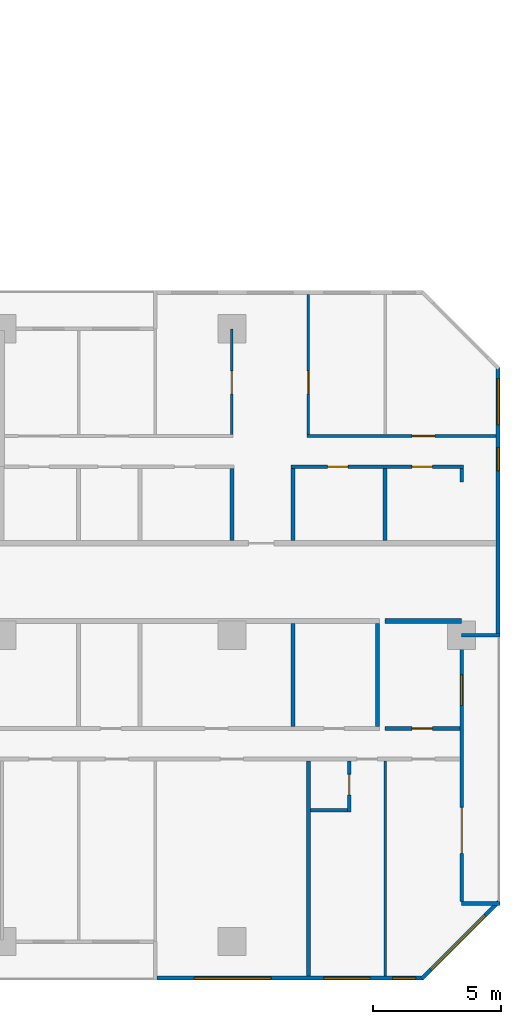
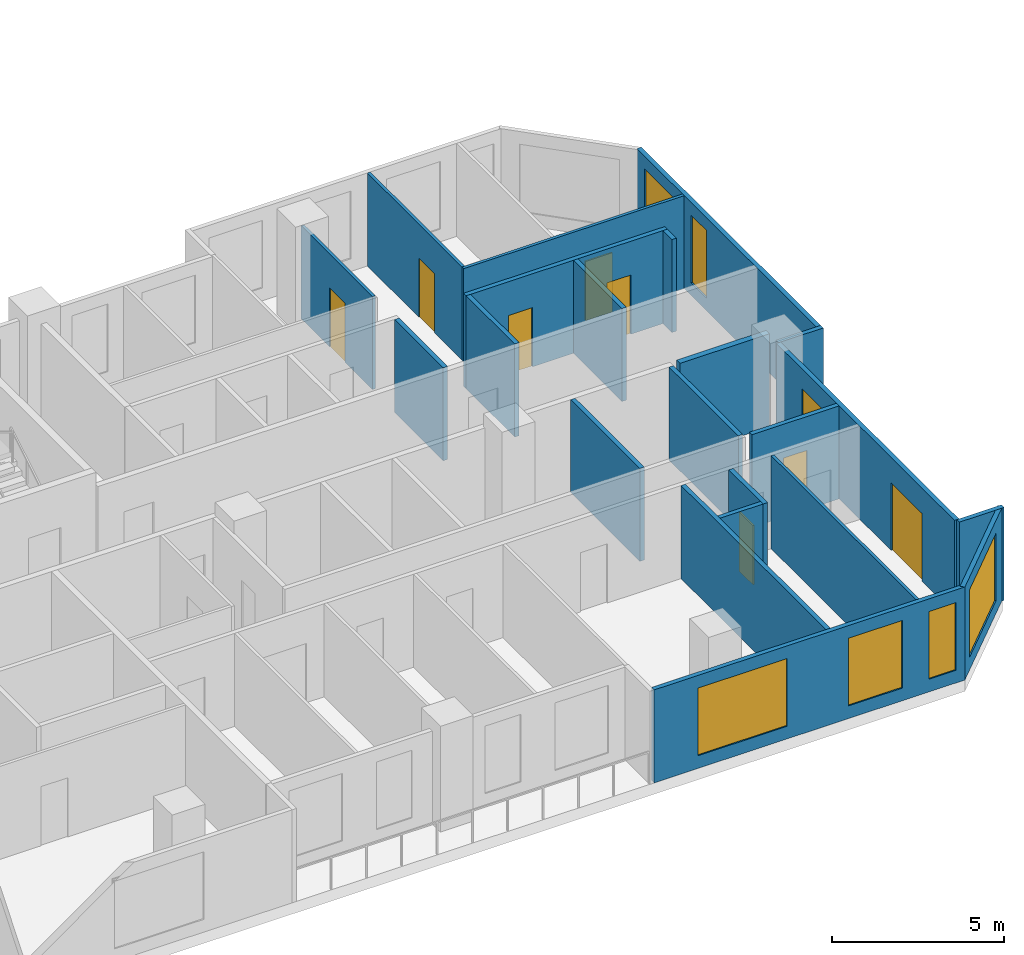
# One storey, part 12 of 16: 22 walls, 8 doors, 7 windows, 15 openings.
"""IFC4 building model written with IfcOpenShell, lengths in metres."""

from ifc_helpers import new_model, si_unit, direction, frame, frame_2d, origin, place, context, subcontext, project, spatial, rectangle, extrude, material, layer, layer_set, type_object, element, fill, save


model = new_model("IFC4")

# Units and contexts
model_context = context("Model", 3, precision=1e-05, world=origin(), true_north=direction((0.0, 1.0)))
body_context = subcontext(model_context, "Body", "Model", "MODEL_VIEW")
ifc_project = project(units=[si_unit("LENGTHUNIT", "METRE"), si_unit("AREAUNIT", "SQUARE_METRE"), si_unit("VOLUMEUNIT", "CUBIC_METRE"), si_unit("PLANEANGLEUNIT", "RADIAN"), si_unit("MASSUNIT", "GRAM", prefix="KILO")], contexts=[model_context])

# Site, building, storey
site_placement = place(None, origin())
site = spatial("IfcSite", under=ifc_project, at=site_placement, CompositionType="ELEMENT")
building_placement = place(site_placement, origin())
building = spatial("IfcBuilding", under=site, at=building_placement, Name="Chenar Terraces", CompositionType="ELEMENT")
storey_placement = place(building_placement, frame((0.0, 0.0, 82.64990234375)))
storey = spatial("IfcBuildingStorey", under=building, at=storey_placement, Name="L18", CompositionType="ELEMENT", Elevation=82.64990234375)

# Wall
ifc_material_1 = material(Name="Gypsum board on steel studs with fire boards", Category="steel")
ifc_layer_1 = layer(ifc_material_1, 0.199951171875)
ifc_layer_set_1 = layer_set([ifc_layer_1], Name="Gypsum board on steel studs with fire boards")
wall_type_1 = type_object("IfcWallType", Name="Corridor wall 200", PredefinedType="PARTITIONING", material=ifc_layer_set_1)
wall_1_placement = place(storey_placement, frame((69.0, 12.550048828125, 0.0), z_axis=(0.0, 0.0, 1.0), x_axis=(1.0, 0.0, 0.0)))
element("IfcWall", 1, at=wall_1_placement, inside=storey, type_object=wall_type_1, Name="Partition L18-106", PredefinedType="PARTITIONING", context=body_context, shape_type="SweptSolid", body=[
    extrude(rectangle(XDim=3.0, YDim=0.199951171875, at=frame_2d((1.5, 0.0))), origin(), (0.0, 0.0, 1.0), 3.300048828125),
])

# Wall, openings, windows
ifc_material_2 = material(Name="Aluminium framed glazing", Category="aluminium")
ifc_layer_2 = layer(ifc_material_2, 0.14990234375)
ifc_layer_set_2 = layer_set([ifc_layer_2], Name="Aluminium framed glazing")
wall_type_2 = type_object("IfcWallType", Name="Glazed flush facade wall 150", PredefinedType="SOLIDWALL", material=ifc_layer_set_2)
wall_2_placement = place(storey_placement, frame((60.074951171875, -1.425048828125, 0.0), z_axis=(0.0, 0.0, 1.0), x_axis=(1.0, 0.0, 0.0)))
wall_2 = element("IfcWall", 2, at=wall_2_placement, inside=storey, type_object=wall_type_2, Name="Glazed flush facade wall", PredefinedType="SOLIDWALL", context=body_context, shape_type="SweptSolid", body=[
    extrude(rectangle(XDim=10.425048828125, YDim=0.14990234375, at=frame_2d((5.21240234375, 0.0))), origin(), (0.0, 0.0, 1.0), 3.300048828125),
])
opening_1_placement = place(wall_2_placement, frame((1.46240234375, 0.0, 0.449951171875)))
opening_1 = element("IfcOpeningElement", 3, at=opening_1_placement, cuts=wall_2, Name="Opening W300x240", PredefinedType="OPENING", context=body_context, shape_type="SweptSolid", body=[
    extrude(rectangle(XDim=3.0, YDim=2.39990234375, at=frame_2d((1.5, 1.199951171875))), frame((0.0, 0.0849609375, 0.0), z_axis=(0.0, -1.0, 0.0), x_axis=(1.0, 0.0, 0.0)), (0.0, 0.0, 1.0), 0.169921875),
])
opening_2_placement = place(wall_2_placement, frame((6.52490234375, 0.0, 0.449951171875)))
opening_2 = element("IfcOpeningElement", 4, at=opening_2_placement, cuts=wall_2, Name="Opening W180x240", PredefinedType="OPENING", context=body_context, shape_type="SweptSolid", body=[
    extrude(rectangle(XDim=1.800048828125, YDim=2.39990234375, at=frame_2d((0.89990234375, 1.199951171875))), frame((0.0, 0.0849609375, 0.0), z_axis=(0.0, -1.0, 0.0), x_axis=(1.0, 0.0, 0.0)), (0.0, 0.0, 1.0), 0.169921875),
])
opening_3_placement = place(wall_2_placement, frame((9.22509765625, 0.0, 0.449951171875)))
opening_3 = element("IfcOpeningElement", 5, at=opening_3_placement, cuts=wall_2, Name="Opening W90x240", PredefinedType="OPENING", context=body_context, shape_type="SweptSolid", body=[
    extrude(rectangle(XDim=0.89990234375, YDim=2.39990234375, at=frame_2d((0.449951171875, 1.199951171875))), frame((0.0, 0.0849609375, 0.0), z_axis=(0.0, -1.0, 0.0), x_axis=(1.0, 0.0, 0.0)), (0.0, 0.0, 1.0), 0.169921875),
])
ifc_material_3 = material(Name="Low emissivity double glazing, aluminium frame", Category="aluminium")
window_type_1 = type_object("IfcWindowType", Name="Fixed light 1800 x 2400", PartitioningType="SINGLE_PANEL", PredefinedType="WINDOW", material=ifc_material_3)
window_1_placement = place(opening_2_placement, origin())
window_1 = element("IfcWindow", 6, at=window_1_placement, inside=storey, type_object=window_type_1, Name="Window", OverallHeight=2.39990234375, OverallWidth=1.800048828125, PartitioningType="SINGLE_PANEL", PredefinedType="WINDOW", context=body_context, shape_type="SweptSolid", body=[
    extrude(rectangle(XDim=1.800048828125, YDim=2.39990234375, at=frame_2d((0.89990234375, 1.199951171875))), frame((0.0, 0.030029296875, 0.0), z_axis=(0.0, -1.0, 0.0), x_axis=(1.0, 0.0, 0.0)), (0.0, 0.0, 1.0), 0.06005859375),
])
fill(opening_2, window_1)
ifc_material_4 = material(Name="Low emissivity double glazing, aluminium frame", Category="aluminium")
window_type_2 = type_object("IfcWindowType", Name="Fixed light 3000 x 2400", PartitioningType="SINGLE_PANEL", PredefinedType="WINDOW", material=ifc_material_4)
window_2_placement = place(opening_1_placement, origin())
window_2 = element("IfcWindow", 7, at=window_2_placement, inside=storey, type_object=window_type_2, Name="Window", OverallHeight=2.39990234375, OverallWidth=3.0, PartitioningType="SINGLE_PANEL", PredefinedType="WINDOW", context=body_context, shape_type="SweptSolid", body=[
    extrude(rectangle(XDim=3.0, YDim=2.39990234375, at=frame_2d((1.5, 1.199951171875))), frame((0.0, 0.030029296875, 0.0), z_axis=(0.0, -1.0, 0.0), x_axis=(1.0, 0.0, 0.0)), (0.0, 0.0, 1.0), 0.06005859375),
])
fill(opening_1, window_2)
ifc_material_5 = material(Name="Low emissivity double glazing, aluminium frame", Category="aluminium")
window_type_3 = type_object("IfcWindowType", Name="Fixed light 900 x 2400", PartitioningType="SINGLE_PANEL", PredefinedType="WINDOW", material=ifc_material_5)
window_3_placement = place(opening_3_placement, origin())
window_3 = element("IfcWindow", 8, at=window_3_placement, inside=storey, type_object=window_type_3, Name="Window", OverallHeight=2.39990234375, OverallWidth=0.89990234375, PartitioningType="SINGLE_PANEL", PredefinedType="WINDOW", context=body_context, shape_type="SweptSolid", body=[
    extrude(rectangle(XDim=0.89990234375, YDim=2.39990234375, at=frame_2d((0.449951171875, 1.199951171875))), frame((0.0, 0.030029296875, 0.0), z_axis=(0.0, -1.0, 0.0), x_axis=(1.0, 0.0, 0.0)), (0.0, 0.0, 1.0), 0.06005859375),
])
fill(opening_3, window_3)

wall_3_placement = place(storey_placement, frame((73.425048828125, 12.074951171875, 0.0), z_axis=(0.0, 0.0, 1.0), x_axis=(0.0, 1.0, 0.0)))
wall_3 = element("IfcWall", 9, at=wall_3_placement, inside=storey, type_object=wall_type_2, Name="Glazed flush facade wall", PredefinedType="SOLIDWALL", context=body_context, shape_type="SweptSolid", body=[
    extrude(rectangle(XDim=10.425048828125, YDim=0.14990234375, at=frame_2d((5.21240234375, 0.0))), origin(), (0.0, 0.0, 1.0), 3.300048828125),
])
opening_4_placement = place(wall_3_placement, frame((6.375, 0.0, 0.449951171875)))
opening_4 = element("IfcOpeningElement", 10, at=opening_4_placement, cuts=wall_3, Name="Opening W90x240", PredefinedType="OPENING", context=body_context, shape_type="SweptSolid", body=[
    extrude(rectangle(XDim=0.89990234375, YDim=2.39990234375, at=frame_2d((0.449951171875, 1.199951171875))), frame((0.0, 0.0849609375, 0.0), z_axis=(0.0, -1.0, 0.0), x_axis=(1.0, 0.0, 0.0)), (0.0, 0.0, 1.0), 0.169921875),
])
opening_5_placement = place(wall_3_placement, frame((8.175048828125, 0.0, 0.449951171875)))
opening_5 = element("IfcOpeningElement", 11, at=opening_5_placement, cuts=wall_3, Name="Opening W180x240", PredefinedType="OPENING", context=body_context, shape_type="SweptSolid", body=[
    extrude(rectangle(XDim=1.800048828125, YDim=2.39990234375, at=frame_2d((0.89990234375, 1.199951171875))), frame((0.0, 0.0849609375, 0.0), z_axis=(0.0, -1.0, 0.0), x_axis=(1.0, 0.0, 0.0)), (0.0, 0.0, 1.0), 0.169921875),
])
window_4_placement = place(opening_5_placement, origin())
window_4 = element("IfcWindow", 12, at=window_4_placement, inside=storey, type_object=window_type_1, Name="Window", OverallHeight=2.39990234375, OverallWidth=1.800048828125, PartitioningType="SINGLE_PANEL", PredefinedType="WINDOW", context=body_context, shape_type="SweptSolid", body=[
    extrude(rectangle(XDim=1.800048828125, YDim=2.39990234375, at=frame_2d((0.89990234375, 1.199951171875))), frame((0.0, 0.030029296875, 0.0), z_axis=(0.0, -1.0, 0.0), x_axis=(1.0, 0.0, 0.0)), (0.0, 0.0, 1.0), 0.06005859375),
])
fill(opening_5, window_4)
window_5_placement = place(opening_4_placement, origin())
window_5 = element("IfcWindow", 13, at=window_5_placement, inside=storey, type_object=window_type_3, Name="Window", OverallHeight=2.39990234375, OverallWidth=0.89990234375, PartitioningType="SINGLE_PANEL", PredefinedType="WINDOW", context=body_context, shape_type="SweptSolid", body=[
    extrude(rectangle(XDim=0.89990234375, YDim=2.39990234375, at=frame_2d((0.449951171875, 1.199951171875))), frame((0.0, 0.030029296875, 0.0), z_axis=(0.0, -1.0, 0.0), x_axis=(1.0, 0.0, 0.0)), (0.0, 0.0, 1.0), 0.06005859375),
])
fill(opening_4, window_5)

# Wall, openings, window, door
ifc_material_6 = material(Name="Aluminium framed glazing", Category="aluminium")
ifc_layer_3 = layer(ifc_material_6, 0.14990234375)
ifc_layer_set_3 = layer_set([ifc_layer_3], Name="Aluminium framed glazing")
wall_type_3 = type_object("IfcWallType", Name="Glazed loggia back wall 150", PredefinedType="SOLIDWALL", material=ifc_layer_set_3)
wall_4_placement = place(storey_placement, frame((72.0, 1.574951171875, 0.0), z_axis=(0.0, 0.0, 1.0), x_axis=(0.0, 1.0, 0.0)))
wall_4 = element("IfcWall", 14, at=wall_4_placement, inside=storey, type_object=wall_type_3, Name="Glazed loggia back wall", PredefinedType="SOLIDWALL", context=body_context, shape_type="SweptSolid", body=[
    extrude(rectangle(XDim=10.35009765625, YDim=0.14990234375, at=frame_2d((5.175048828125, 0.0))), origin(), (0.0, 0.0, 1.0), 3.300048828125),
])
opening_6_placement = place(wall_4_placement, frame((1.887451171875, 0.0, 0.0)))
opening_6 = element("IfcOpeningElement", 15, at=opening_6_placement, cuts=wall_4, Name="Opening DL18-G6", PredefinedType="OPENING", context=body_context, shape_type="SweptSolid", body=[
    extrude(rectangle(XDim=1.800048828125, YDim=2.39990234375, at=frame_2d((0.89990234375, 1.199951171875))), frame((0.0, 0.0849609375, 0.0), z_axis=(0.0, -1.0, 0.0), x_axis=(1.0, 0.0, 0.0)), (0.0, 0.0, 1.0), 0.169921875),
])
opening_7_placement = place(wall_4_placement, frame((7.675048828125, 0.0, 1.699951171875)))
opening_7 = element("IfcOpeningElement", 16, at=opening_7_placement, cuts=wall_4, Name="Opening W120x90", PredefinedType="OPENING", context=body_context, shape_type="SweptSolid", body=[
    extrude(rectangle(XDim=1.199951171875, YDim=0.89990234375, at=frame_2d((0.60009765625, 0.449951171875))), frame((0.0, 0.0849609375, 0.0), z_axis=(0.0, -1.0, 0.0), x_axis=(1.0, 0.0, 0.0)), (0.0, 0.0, 1.0), 0.169921875),
])
ifc_material_7 = material(Name="Low emissivity double glazing, aluminium frame", Category="aluminium")
window_type_4 = type_object("IfcWindowType", Name="Fixed light 1200 x 900", PartitioningType="SINGLE_PANEL", PredefinedType="WINDOW", material=ifc_material_7)
window_6_placement = place(opening_7_placement, origin())
window_6 = element("IfcWindow", 17, at=window_6_placement, inside=storey, type_object=window_type_4, Name="Window", OverallHeight=0.89990234375, OverallWidth=1.199951171875, PartitioningType="SINGLE_PANEL", PredefinedType="WINDOW", context=body_context, shape_type="SweptSolid", body=[
    extrude(rectangle(XDim=1.199951171875, YDim=0.89990234375, at=frame_2d((0.60009765625, 0.449951171875))), frame((0.0, 0.030029296875, 0.0), z_axis=(0.0, -1.0, 0.0), x_axis=(1.0, 0.0, 0.0)), (0.0, 0.0, 1.0), 0.06005859375),
])
fill(opening_7, window_6)
ifc_material_8 = material(Name="Low emissivity double glazing, aluminium frame", Category="aluminium")
door_type_1 = type_object("IfcDoorType", Name="Loggia glazed double door 1800 x 2400", OperationType="DOUBLE_DOOR_SINGLE_SWING", PredefinedType="DOOR", material=ifc_material_8)
door_1_placement = place(opening_6_placement, frame((1.800048828125, 0.0, 0.0), z_axis=(0.0, 0.0, 1.0), x_axis=(-1.0, 0.0, 0.0)))
door_1 = element("IfcDoor", 18, at=door_1_placement, inside=storey, type_object=door_type_1, Name="Loggia glazed door", OperationType="DOUBLE_DOOR_SINGLE_SWING", OverallHeight=2.39990234375, OverallWidth=1.800048828125, PredefinedType="DOOR", context=body_context, shape_type="SweptSolid", body=[
    extrude(rectangle(XDim=1.800048828125, YDim=2.39990234375, at=frame_2d((0.89990234375, 1.199951171875))), frame((0.0, 0.02490234375, 0.0), z_axis=(0.0, -1.0, 0.0), x_axis=(1.0, 0.0, 0.0)), (0.0, 0.0, 1.0), 0.050048828125),
])
fill(opening_6, door_1)

# Wall, opening, door
ifc_material_9 = material(Name="Gypsum board on steel studs", Category="steel")
ifc_layer_4 = layer(ifc_material_9, 0.10009765625)
ifc_layer_set_4 = layer_set([ifc_layer_4], Name="Gypsum board on steel studs")
wall_type_4 = type_object("IfcWallType", Name="Gypsum partition 100", PredefinedType="PARTITIONING", material=ifc_layer_set_4)
wall_5_placement = place(storey_placement, frame((63.0, 19.85009765625, 0.0), z_axis=(0.0, 0.0, 1.0), x_axis=(0.0, 1.0, 0.0)))
wall_5 = element("IfcWall", 19, at=wall_5_placement, inside=storey, type_object=wall_type_4, Name="Partition L18-094", PredefinedType="PARTITIONING", context=body_context, shape_type="SweptSolid", body=[
    extrude(rectangle(XDim=4.14990234375, YDim=0.10009765625, at=frame_2d((2.074951171875, 0.0))), origin(), (0.0, 0.0, 1.0), 3.300048828125),
])
opening_8_placement = place(wall_5_placement, frame((1.60009765625, 0.0, 0.0)))
opening_8 = element("IfcOpeningElement", 20, at=opening_8_placement, cuts=wall_5, Name="Opening DL18-5", PredefinedType="OPENING", context=body_context, shape_type="SweptSolid", body=[
    extrude(rectangle(XDim=0.89990234375, YDim=2.10009765625, at=frame_2d((0.449951171875, 1.050048828125))), frame((0.0, 0.06005859375, 0.0), z_axis=(0.0, -1.0, 0.0), x_axis=(1.0, 0.0, 0.0)), (0.0, 0.0, 1.0), 0.1201171875),
])
ifc_material_10 = material(Name="Veneered timber door leaf", Category="wood")
door_type_2 = type_object("IfcDoorType", Name="Door 900 x 2100", OperationType="SINGLE_SWING_LEFT", PredefinedType="DOOR", material=ifc_material_10)
door_2_placement = place(opening_8_placement, origin())
door_2 = element("IfcDoor", 21, at=door_2_placement, inside=storey, type_object=door_type_2, Name="Door DL18-5", OperationType="SINGLE_SWING_RIGHT", OverallHeight=2.10009765625, OverallWidth=0.89990234375, PredefinedType="DOOR", context=body_context, shape_type="SweptSolid", body=[
    extrude(rectangle(XDim=0.89990234375, YDim=2.10009765625, at=frame_2d((0.449951171875, 1.050048828125))), frame((0.0, 0.02490234375, 0.0), z_axis=(0.0, -1.0, 0.0), x_axis=(1.0, 0.0, 0.0)), (0.0, 0.0, 1.0), 0.050048828125),
])
fill(opening_8, door_2)

wall_6_placement = place(storey_placement, frame((65.949951171875, 19.800048828125, 0.0), z_axis=(0.0, 0.0, 1.0), x_axis=(1.0, 0.0, 0.0)))
wall_6 = element("IfcWall", 22, at=wall_6_placement, inside=storey, type_object=wall_type_4, Name="Partition L18-098", PredefinedType="PARTITIONING", context=body_context, shape_type="SweptSolid", body=[
    extrude(rectangle(XDim=7.401123046875, YDim=0.10009765625, at=frame_2d((3.70068359375, 0.0))), origin(), (0.0, 0.0, 1.0), 3.300048828125),
])
opening_9_placement = place(wall_6_placement, frame((4.10009765625, 0.0, 0.0)))
opening_9 = element("IfcOpeningElement", 23, at=opening_9_placement, cuts=wall_6, Name="Opening DL18-7", PredefinedType="OPENING", context=body_context, shape_type="SweptSolid", body=[
    extrude(rectangle(XDim=0.89990234375, YDim=2.10009765625, at=frame_2d((0.449951171875, 1.050048828125))), frame((0.0, 0.06005859375, 0.0), z_axis=(0.0, -1.0, 0.0), x_axis=(1.0, 0.0, 0.0)), (0.0, 0.0, 1.0), 0.1201171875),
])
door_3_placement = place(opening_9_placement, origin())
door_3 = element("IfcDoor", 24, at=door_3_placement, inside=storey, type_object=door_type_2, Name="Door DL18-7", OperationType="SINGLE_SWING_LEFT", OverallHeight=2.10009765625, OverallWidth=0.89990234375, PredefinedType="DOOR", context=body_context, shape_type="SweptSolid", body=[
    extrude(rectangle(XDim=0.89990234375, YDim=2.10009765625, at=frame_2d((0.449951171875, 1.050048828125))), frame((0.0, 0.02490234375, 0.0), z_axis=(0.0, -1.0, 0.0), x_axis=(1.0, 0.0, 0.0)), (0.0, 0.0, 1.0), 0.050048828125),
])
fill(opening_9, door_3)

wall_7_placement = place(storey_placement, frame((66.0, 19.85009765625, 0.0), z_axis=(0.0, 0.0, 1.0), x_axis=(0.0, 1.0, 0.0)))
wall_7 = element("IfcWall", 25, at=wall_7_placement, inside=storey, type_object=wall_type_4, Name="Partition L18-100", PredefinedType="PARTITIONING", context=body_context, shape_type="SweptSolid", body=[
    extrude(rectangle(XDim=5.5, YDim=0.10009765625, at=frame_2d((2.75, 0.0))), origin(), (0.0, 0.0, 1.0), 3.300048828125),
])
opening_10_placement = place(wall_7_placement, frame((1.60009765625, 0.0, 0.0)))
opening_10 = element("IfcOpeningElement", 26, at=opening_10_placement, cuts=wall_7, Name="Opening DL18-6", PredefinedType="OPENING", context=body_context, shape_type="SweptSolid", body=[
    extrude(rectangle(XDim=0.89990234375, YDim=2.10009765625, at=frame_2d((0.449951171875, 1.050048828125))), frame((0.0, 0.06005859375, 0.0), z_axis=(0.0, -1.0, 0.0), x_axis=(1.0, 0.0, 0.0)), (0.0, 0.0, 1.0), 0.1201171875),
])
door_4_placement = place(opening_10_placement, frame((0.89990234375, 0.0, 0.0), z_axis=(0.0, 0.0, 1.0), x_axis=(-1.0, 0.0, 0.0)))
door_4 = element("IfcDoor", 27, at=door_4_placement, inside=storey, type_object=door_type_2, Name="Door DL18-6", OperationType="SINGLE_SWING_LEFT", OverallHeight=2.10009765625, OverallWidth=0.89990234375, PredefinedType="DOOR", context=body_context, shape_type="SweptSolid", body=[
    extrude(rectangle(XDim=0.89990234375, YDim=2.10009765625, at=frame_2d((0.449951171875, 1.050048828125))), frame((0.0, 0.02490234375, 0.0), z_axis=(0.0, -1.0, 0.0), x_axis=(1.0, 0.0, 0.0)), (0.0, 0.0, 1.0), 0.050048828125),
])
fill(opening_10, door_4)

# Walls
wall_8_placement = place(storey_placement, frame((69.0, -1.35107421875, 0.0), z_axis=(0.0, 0.0, 1.0), x_axis=(0.0, 1.0, 0.0)))
element("IfcWall", 28, at=wall_8_placement, inside=storey, type_object=wall_type_4, Name="Partition L18-104", PredefinedType="PARTITIONING", context=body_context, shape_type="SweptSolid", body=[
    extrude(rectangle(XDim=8.426025390625, YDim=0.10009765625, at=frame_2d((4.212890625, 0.0))), origin(), (0.0, 0.0, 1.0), 3.300048828125),
])
ifc_material_11 = material(Name="Terracotta cladding on insulated backing", Category="masonry")
ifc_layer_5 = layer(ifc_material_11, 0.14990234375)
ifc_layer_set_5 = layer_set([ifc_layer_5], Name="Terracotta cladding on insulated backing")
wall_type_5 = type_object("IfcWallType", Name="Loggia return wall 150", PredefinedType="SOLIDWALL", material=ifc_layer_set_5)
for number, where, z_axis, x_axis, name in (
    (29, (73.5, 1.5, 0.0), (0.0, 0.0, 1.0), (-1.0, 0.0, 0.0), "Loggia return wall"),
    (30, (73.5, 12.0, 0.0), (0.0, 0.0, 1.0), (-1.0, 0.0, 0.0), "Loggia return wall"),
):
    element("IfcWall", number, at=place(storey_placement, frame(where, z_axis=z_axis, x_axis=x_axis)), inside=storey, type_object=wall_type_5, Name=name, PredefinedType="SOLIDWALL", context=body_context, shape_type="SweptSolid", body=[
        extrude(rectangle(XDim=1.5, YDim=0.14990234375, at=frame_2d((0.75, 0.0))), origin(), (0.0, 0.0, 1.0), 3.300048828125),
    ])

# Wall, opening, window
ifc_material_12 = material(Name="Terracotta cladding on insulated backing", Category="masonry")
ifc_layer_6 = layer(ifc_material_12, 0.14990234375)
ifc_layer_set_6 = layer_set([ifc_layer_6], Name="Terracotta cladding on insulated backing")
wall_type_6 = type_object("IfcWallType", Name="Terracotta rainscreen wall 150", PredefinedType="SOLIDWALL", material=ifc_layer_set_6)
wall_9_placement = place(storey_placement, frame((70.447021484375, -1.447021484375, 0.0), z_axis=(0.0, 0.0, 1.0), x_axis=(0.707106781187, 0.707106781187, 0.0)))
wall_9 = element("IfcWall", 31, at=wall_9_placement, inside=storey, type_object=wall_type_6, Name="Terracotta rainscreen wall", PredefinedType="SOLIDWALL", context=body_context, shape_type="SweptSolid", body=[
    extrude(rectangle(XDim=4.24267578125, YDim=0.14990234375, at=frame_2d((2.121337890625, 0.0))), origin(), (0.0, 0.0, 1.0), 3.300048828125),
])
opening_11_placement = place(wall_9_placement, frame((0.498046875, 0.0, 0.449951171875)))
opening_11 = element("IfcOpeningElement", 32, at=opening_11_placement, cuts=wall_9, Name="Opening W300x240", PredefinedType="OPENING", context=body_context, shape_type="SweptSolid", body=[
    extrude(rectangle(XDim=3.0, YDim=2.39990234375, at=frame_2d((1.5, 1.199951171875))), frame((0.0, 0.0849609375, 0.0), z_axis=(0.0, -1.0, 0.0), x_axis=(1.0, 0.0, 0.0)), (0.0, 0.0, 1.0), 0.169921875),
])
window_7_placement = place(opening_11_placement, origin())
window_7 = element("IfcWindow", 33, at=window_7_placement, inside=storey, type_object=window_type_2, Name="Window", OverallHeight=2.39990234375, OverallWidth=3.0, PartitioningType="SINGLE_PANEL", PredefinedType="WINDOW", context=body_context, shape_type="SweptSolid", body=[
    extrude(rectangle(XDim=3.0, YDim=2.39990234375, at=frame_2d((1.5, 1.199951171875))), frame((0.0, 0.030029296875, 0.0), z_axis=(0.0, -1.0, 0.0), x_axis=(1.0, 0.0, 0.0)), (0.0, 0.0, 1.0), 0.06005859375),
])
fill(opening_11, window_7)

# Wall
ifc_material_13 = material(Name="Moisture-resistant gypsum board on steel studs", Category="steel")
ifc_layer_7 = layer(ifc_material_13, 0.14990234375)
ifc_layer_set_7 = layer_set([ifc_layer_7], Name="Moisture-resistant gypsum board on steel studs")
wall_type_7 = type_object("IfcWallType", Name="Wet-room partition 150", PredefinedType="PARTITIONING", material=ifc_layer_set_7)
wall_10_placement = place(storey_placement, frame((63.0, 15.699951171875, 0.0), z_axis=(0.0, 0.0, 1.0), x_axis=(0.0, 1.0, 0.0)))
element("IfcWall", 34, at=wall_10_placement, inside=storey, type_object=wall_type_7, Name="Partition L18-093", PredefinedType="PARTITIONING", context=body_context, shape_type="SweptSolid", body=[
    extrude(rectangle(XDim=2.824951171875, YDim=0.14990234375, at=frame_2d((1.41259765625, 0.0))), origin(), (0.0, 0.0, 1.0), 3.300048828125),
])

# Wall, openings, doors
wall_11_placement = place(storey_placement, frame((65.324951171875, 18.60009765625, 0.0), z_axis=(0.0, 0.0, 1.0), x_axis=(1.0, 0.0, 0.0)))
wall_11 = element("IfcWall", 35, at=wall_11_placement, inside=storey, type_object=wall_type_7, Name="Partition L18-095", PredefinedType="PARTITIONING", context=body_context, shape_type="SweptSolid", body=[
    extrude(rectangle(XDim=6.75, YDim=0.14990234375, at=frame_2d((3.375, 0.0))), origin(), (0.0, 0.0, 1.0), 3.300048828125),
])
opening_12_placement = place(wall_11_placement, frame((4.72509765625, 0.0, 0.0)))
opening_12 = element("IfcOpeningElement", 36, at=opening_12_placement, cuts=wall_11, Name="Opening DL18-10", PredefinedType="OPENING", context=body_context, shape_type="SweptSolid", body=[
    extrude(rectangle(XDim=0.800048828125, YDim=2.10009765625, at=frame_2d((0.39990234375, 1.050048828125))), frame((0.0, 0.0849609375, 0.0), z_axis=(0.0, -1.0, 0.0), x_axis=(1.0, 0.0, 0.0)), (0.0, 0.0, 1.0), 0.169921875),
])
opening_13_placement = place(wall_11_placement, frame((1.425048828125, 0.0, 0.0)))
opening_13 = element("IfcOpeningElement", 37, at=opening_13_placement, cuts=wall_11, Name="Opening DL18-14", PredefinedType="OPENING", context=body_context, shape_type="SweptSolid", body=[
    extrude(rectangle(XDim=0.800048828125, YDim=2.10009765625, at=frame_2d((0.39990234375, 1.050048828125))), frame((0.0, 0.0849609375, 0.0), z_axis=(0.0, -1.0, 0.0), x_axis=(1.0, 0.0, 0.0)), (0.0, 0.0, 1.0), 0.169921875),
])
ifc_material_14 = material(Name="Veneered timber door leaf", Category="wood")
door_type_3 = type_object("IfcDoorType", Name="Door 800 x 2100", OperationType="SINGLE_SWING_LEFT", PredefinedType="DOOR", material=ifc_material_14)
door_5_placement = place(opening_12_placement, frame((0.800048828125, 0.0, 0.0), z_axis=(0.0, 0.0, 1.0), x_axis=(-1.0, 0.0, 0.0)))
door_5 = element("IfcDoor", 38, at=door_5_placement, inside=storey, type_object=door_type_3, Name="Door DL18-10", OperationType="SINGLE_SWING_RIGHT", OverallHeight=2.10009765625, OverallWidth=0.800048828125, PredefinedType="DOOR", context=body_context, shape_type="SweptSolid", body=[
    extrude(rectangle(XDim=0.800048828125, YDim=2.10009765625, at=frame_2d((0.39990234375, 1.050048828125))), frame((0.0, 0.02490234375, 0.0), z_axis=(0.0, -1.0, 0.0), x_axis=(1.0, 0.0, 0.0)), (0.0, 0.0, 1.0), 0.050048828125),
])
fill(opening_12, door_5)
door_6_placement = place(opening_13_placement, frame((0.800048828125, 0.0, 0.0), z_axis=(0.0, 0.0, 1.0), x_axis=(-1.0, 0.0, 0.0)))
door_6 = element("IfcDoor", 39, at=door_6_placement, inside=storey, type_object=door_type_3, Name="Door DL18-14", OperationType="SINGLE_SWING_RIGHT", OverallHeight=2.10009765625, OverallWidth=0.800048828125, PredefinedType="DOOR", context=body_context, shape_type="SweptSolid", body=[
    extrude(rectangle(XDim=0.800048828125, YDim=2.10009765625, at=frame_2d((0.39990234375, 1.050048828125))), frame((0.0, 0.02490234375, 0.0), z_axis=(0.0, -1.0, 0.0), x_axis=(1.0, 0.0, 0.0)), (0.0, 0.0, 1.0), 0.050048828125),
])
fill(opening_13, door_6)

# Walls
wall_12_placement = place(storey_placement, frame((65.39990234375, 8.425048828125, 0.0), z_axis=(0.0, 0.0, 1.0), x_axis=(0.0, 1.0, 0.0)))
element("IfcWall", 40, at=wall_12_placement, inside=storey, type_object=wall_type_7, Name="Partition L18-096", PredefinedType="PARTITIONING", context=body_context, shape_type="SweptSolid", body=[
    extrude(rectangle(XDim=4.02490234375, YDim=0.14990234375, at=frame_2d((2.012451171875, 0.0))), origin(), (0.0, 0.0, 1.0), 3.300048828125),
])
wall_13_placement = place(storey_placement, frame((65.39990234375, 15.699951171875, 0.0), z_axis=(0.0, 0.0, 1.0), x_axis=(0.0, 1.0, 0.0)))
element("IfcWall", 41, at=wall_13_placement, inside=storey, type_object=wall_type_7, Name="Partition L18-097", PredefinedType="PARTITIONING", context=body_context, shape_type="SweptSolid", body=[
    extrude(rectangle(XDim=2.824951171875, YDim=0.14990234375, at=frame_2d((1.41259765625, 0.0))), origin(), (0.0, 0.0, 1.0), 3.300048828125),
])
wall_14_placement = place(storey_placement, frame((66.0, -1.35009765625, 0.0), z_axis=(0.0, 0.0, 1.0), x_axis=(0.0, 1.0, 0.0)))
element("IfcWall", 42, at=wall_14_placement, inside=storey, type_object=wall_type_7, Name="Partition L18-099", PredefinedType="PARTITIONING", context=body_context, shape_type="SweptSolid", body=[
    extrude(rectangle(XDim=8.425048828125, YDim=0.14990234375, at=frame_2d((4.21240234375, 0.0))), origin(), (0.0, 0.0, 1.0), 3.300048828125),
])
wall_15_placement = place(storey_placement, frame((66.074951171875, 5.14990234375, 0.0), z_axis=(0.0, 0.0, 1.0), x_axis=(1.0, 0.0, 0.0)))
element("IfcWall", 43, at=wall_15_placement, inside=storey, type_object=wall_type_7, Name="Partition L18-101", PredefinedType="PARTITIONING", context=body_context, shape_type="SweptSolid", body=[
    extrude(rectangle(XDim=1.449951171875, YDim=0.14990234375, at=frame_2d((0.72509765625, 0.0))), origin(), (0.0, 0.0, 1.0), 3.300048828125),
])

# Wall, opening, door
wall_16_placement = place(storey_placement, frame((67.60009765625, 5.074951171875, 0.0), z_axis=(0.0, 0.0, 1.0), x_axis=(0.0, 1.0, 0.0)))
wall_16 = element("IfcWall", 44, at=wall_16_placement, inside=storey, type_object=wall_type_7, Name="Partition L18-102", PredefinedType="PARTITIONING", context=body_context, shape_type="SweptSolid", body=[
    extrude(rectangle(XDim=2.0, YDim=0.14990234375, at=frame_2d((1.0, 0.0))), origin(), (0.0, 0.0, 1.0), 3.300048828125),
])
opening_14_placement = place(wall_16_placement, frame((0.675048828125, 0.0, 0.0)))
opening_14 = element("IfcOpeningElement", 45, at=opening_14_placement, cuts=wall_16, Name="Opening DL18-26", PredefinedType="OPENING", context=body_context, shape_type="SweptSolid", body=[
    extrude(rectangle(XDim=0.800048828125, YDim=2.10009765625, at=frame_2d((0.39990234375, 1.050048828125))), frame((0.0, 0.0849609375, 0.0), z_axis=(0.0, -1.0, 0.0), x_axis=(1.0, 0.0, 0.0)), (0.0, 0.0, 1.0), 0.169921875),
])
door_7_placement = place(opening_14_placement, origin())
door_7 = element("IfcDoor", 46, at=door_7_placement, inside=storey, type_object=door_type_3, Name="Door DL18-26", OperationType="SINGLE_SWING_LEFT", OverallHeight=2.10009765625, OverallWidth=0.800048828125, PredefinedType="DOOR", context=body_context, shape_type="SweptSolid", body=[
    extrude(rectangle(XDim=0.800048828125, YDim=2.10009765625, at=frame_2d((0.39990234375, 1.050048828125))), frame((0.0, 0.02490234375, 0.0), z_axis=(0.0, -1.0, 0.0), x_axis=(1.0, 0.0, 0.0)), (0.0, 0.0, 1.0), 0.050048828125),
])
fill(opening_14, door_7)

# Wall
wall_17_placement = place(storey_placement, frame((68.699951171875, 8.425048828125, 0.0), z_axis=(0.0, 0.0, 1.0), x_axis=(0.0, 1.0, 0.0)))
element("IfcWall", 47, at=wall_17_placement, inside=storey, type_object=wall_type_7, Name="Partition L18-103", PredefinedType="PARTITIONING", context=body_context, shape_type="SweptSolid", body=[
    extrude(rectangle(XDim=4.02490234375, YDim=0.14990234375, at=frame_2d((2.012451171875, 0.0))), origin(), (0.0, 0.0, 1.0), 3.300048828125),
])

# Wall, opening, door
wall_18_placement = place(storey_placement, frame((69.0, 8.35009765625, 0.0), z_axis=(0.0, 0.0, 1.0), x_axis=(1.0, 0.0, 0.0)))
wall_18 = element("IfcWall", 48, at=wall_18_placement, inside=storey, type_object=wall_type_7, Name="Partition L18-105", PredefinedType="PARTITIONING", context=body_context, shape_type="SweptSolid", body=[
    extrude(rectangle(XDim=2.926025390625, YDim=0.14990234375, at=frame_2d((1.462890625, 0.0))), origin(), (0.0, 0.0, 1.0), 3.300048828125),
])
opening_15_placement = place(wall_18_placement, frame((1.050048828125, 0.0, 0.0)))
opening_15 = element("IfcOpeningElement", 49, at=opening_15_placement, cuts=wall_18, Name="Opening DL18-23", PredefinedType="OPENING", context=body_context, shape_type="SweptSolid", body=[
    extrude(rectangle(XDim=0.800048828125, YDim=2.10009765625, at=frame_2d((0.39990234375, 1.050048828125))), frame((0.0, 0.0849609375, 0.0), z_axis=(0.0, -1.0, 0.0), x_axis=(1.0, 0.0, 0.0)), (0.0, 0.0, 1.0), 0.169921875),
])
door_8_placement = place(opening_15_placement, origin())
door_8 = element("IfcDoor", 50, at=door_8_placement, inside=storey, type_object=door_type_3, Name="Door DL18-23", OperationType="SINGLE_SWING_RIGHT", OverallHeight=2.10009765625, OverallWidth=0.800048828125, PredefinedType="DOOR", context=body_context, shape_type="SweptSolid", body=[
    extrude(rectangle(XDim=0.800048828125, YDim=2.10009765625, at=frame_2d((0.39990234375, 1.050048828125))), frame((0.0, 0.02490234375, 0.0), z_axis=(0.0, -1.0, 0.0), x_axis=(1.0, 0.0, 0.0)), (0.0, 0.0, 1.0), 0.050048828125),
])
fill(opening_15, door_8)

# Walls
wall_19_placement = place(storey_placement, frame((69.0, 15.699951171875, 0.0), z_axis=(0.0, 0.0, 1.0), x_axis=(0.0, 1.0, 0.0)))
element("IfcWall", 51, at=wall_19_placement, inside=storey, type_object=wall_type_7, Name="Partition L18-107", PredefinedType="PARTITIONING", context=body_context, shape_type="SweptSolid", body=[
    extrude(rectangle(XDim=2.824951171875, YDim=0.14990234375, at=frame_2d((1.41259765625, 0.0))), origin(), (0.0, 0.0, 1.0), 3.300048828125),
])
wall_20_placement = place(storey_placement, frame((72.0, 18.0, 0.0), z_axis=(0.0, 0.0, 1.0), x_axis=(0.0, 1.0, 0.0)))
element("IfcWall", 52, at=wall_20_placement, inside=storey, type_object=wall_type_7, Name="Partition L18-109", PredefinedType="PARTITIONING", context=body_context, shape_type="SweptSolid", body=[
    extrude(rectangle(XDim=0.52490234375, YDim=0.14990234375, at=frame_2d((0.262451171875, 0.0))), origin(), (0.0, 0.0, 1.0), 3.300048828125),
])

save(model, "model.ifc")
